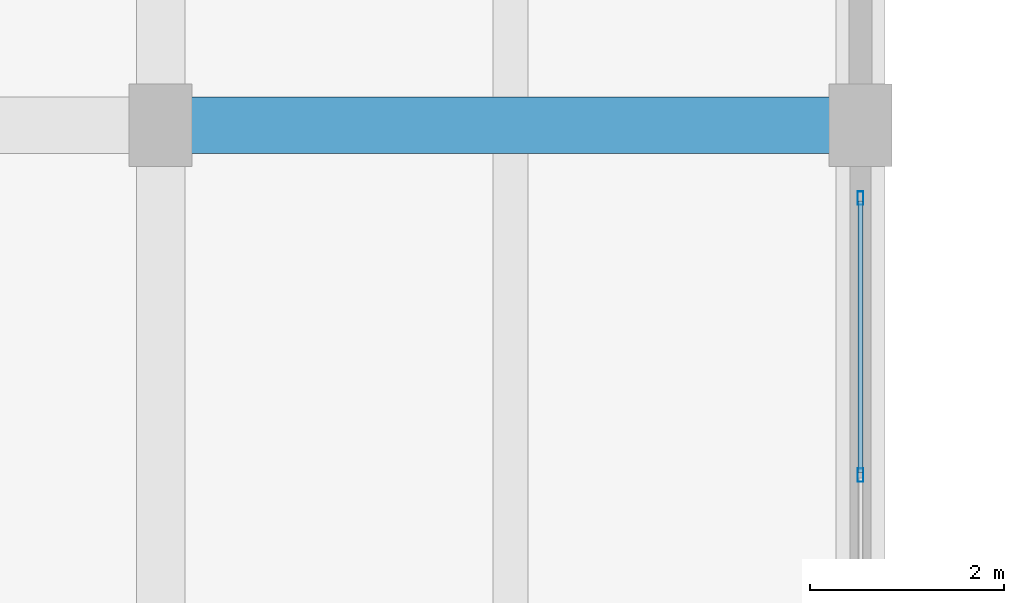
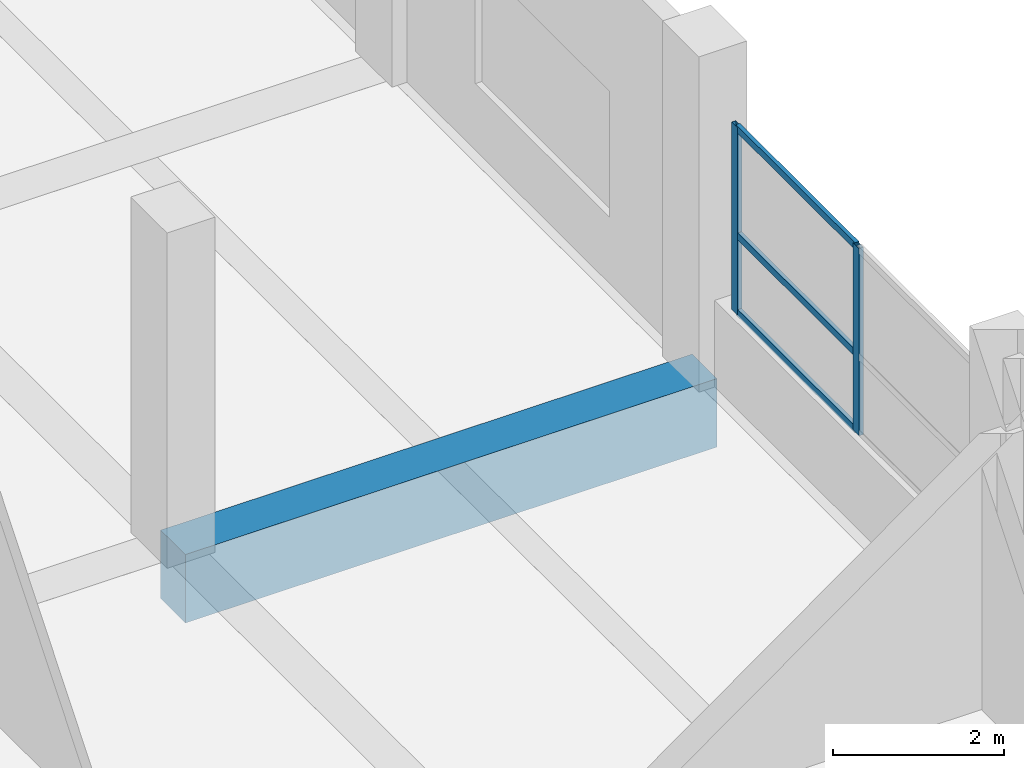
# One storey, part 104 of 140: 5 members, 1 beam, 1 element without a shape of its own.
"""IFC4 building model written with IfcOpenShell, lengths in metres."""

from ifc_helpers import new_model, si_unit, direction, frame, origin, origin_2d, place, context, subcontext, project, spatial, rectangle, hollow_rectangle, extrude, material, layer, layer_set, material_profile, profile_set, type_object, element, aggregate, save


model = new_model("IFC4")

# Units and contexts
model_context = context("Model", 3, precision=1e-05, world=origin(), true_north=direction((0.0, 1.0)))
body_context = subcontext(model_context, "Body", "Model", "MODEL_VIEW")
ifc_project = project(units=[si_unit("LENGTHUNIT", "METRE"), si_unit("AREAUNIT", "SQUARE_METRE"), si_unit("VOLUMEUNIT", "CUBIC_METRE"), si_unit("PLANEANGLEUNIT", "RADIAN"), si_unit("MASSUNIT", "GRAM", prefix="KILO")], contexts=[model_context])

# Site, building, storey
site_placement = place(None, origin())
site = spatial("IfcSite", under=ifc_project, at=site_placement, CompositionType="ELEMENT")
building_placement = place(site_placement, origin())
building = spatial("IfcBuilding", under=site, at=building_placement, Name="Seraya Terrace Polytechnic", CompositionType="ELEMENT")
storey_placement = place(building_placement, frame((0.0, 0.0, 9.60009765625)))
storey = spatial("IfcBuildingStorey", under=building, at=storey_placement, Name="L02", CompositionType="ELEMENT", Elevation=9.60009765625)

# Beam
ifc_material_1 = material(Name="Concrete C40/50", Category="concrete")
ifc_material_profile_1 = material_profile(ifc_material_1, rectangle(XDim=0.580078125, YDim=0.97998046875, at=origin_2d()), Name="RC 580x980")
ifc_profile_set_1 = profile_set([ifc_material_profile_1], Name="Concrete C40/50")
beam_type = type_object("IfcBeamType", Name="BM-02", PredefinedType="BEAM", material=ifc_profile_set_1)
beam_placement = place(storey_placement, frame((151.199951171875, 100.800048828125, -0.489990234375), z_axis=(1.0, 0.0, 0.0), x_axis=(0.0, 1.0, 0.0)))
element("IfcBeam", 1, at=beam_placement, inside=storey, type_object=beam_type, Name="Beam BM-02 L02 X (151.2..158.4, 100.8)", PredefinedType="BEAM", context=body_context, shape_type="SweptSolid", body=[
    extrude(rectangle(XDim=0.580078125, YDim=0.97998046875, at=origin_2d()), origin(), (0.0, 0.0, 1.0), 7.199951171875),
])

# Curtain wall, members
ifc_material_2 = material(Name="Anodised aluminium EN AW-6063 T6", Category="aluminium")
ifc_layer = layer(ifc_material_2, 0.179931640625, Name="CW-18")
ifc_layer_set = layer_set([ifc_layer], Name="Anodised aluminium EN AW-6063 T6")
curtain_wall_type = type_object("IfcCurtainWallType", Name="CW-18", PredefinedType="NOTDEFINED", material=ifc_layer_set)
curtain_wall_placement = place(storey_placement, origin())
curtain_wall = element("IfcCurtainWall", 2, at=curtain_wall_placement, inside=storey, type_object=curtain_wall_type, Name="Unitised curtain wall CW-18 (CW-L02-090)", PredefinedType="NOTDEFINED")
ifc_material_profile_2 = material_profile(ifc_material_2, hollow_rectangle(XDim=0.06005859375, YDim=0.139892578125, WallThickness=0.00341796875, at=origin_2d()), Name="RHS 140x60x3.5")
ifc_profile_set_2 = profile_set([ifc_material_profile_2], Name="Anodised aluminium EN AW-6063 T6")
member_type_1 = type_object("IfcMemberType", Name="CWM-03", PredefinedType="MULLION", material=ifc_profile_set_2)
member_1_placement = place(storey_placement, frame((158.39990234375, 100.050048828125, 1.239990234375), z_axis=(0.0, 0.0, 1.0), x_axis=(1.0, 0.0, 0.0)))
member_1 = element("IfcMember", 3, at=member_1_placement, type_object=member_type_1, Name="CW-18 mullion 1", PredefinedType="MULLION", context=body_context, shape_type="SweptSolid", body=[
    extrude(hollow_rectangle(XDim=0.06005859375, YDim=0.139892578125, WallThickness=0.00341796875, at=origin_2d()), origin(), (0.0, 0.0, 1.0), 2.679931640625),
])
member_2_placement = place(storey_placement, frame((158.39990234375, 97.199951171875, 1.239990234375), z_axis=(0.0, 0.0, 1.0), x_axis=(1.0, 0.0, 0.0)))
member_2 = element("IfcMember", 4, at=member_2_placement, type_object=member_type_1, Name="CW-18 mullion 2", PredefinedType="MULLION", context=body_context, shape_type="SweptSolid", body=[
    extrude(hollow_rectangle(XDim=0.06005859375, YDim=0.139892578125, WallThickness=0.00341796875, at=origin_2d()), origin(), (0.0, 0.0, 1.0), 2.679931640625),
])
ifc_material_profile_3 = material_profile(ifc_material_2, hollow_rectangle(XDim=0.054931640625, YDim=0.10009765625, WallThickness=0.0029296875, at=origin_2d()), Name="RHS 100x55x3.0")
ifc_profile_set_3 = profile_set([ifc_material_profile_3], Name="Anodised aluminium EN AW-6063 T6")
member_type_2 = type_object("IfcMemberType", Name="CWT-03", PredefinedType="USERDEFINED", material=ifc_profile_set_3)
member_3_placement = place(storey_placement, frame((158.39990234375, 100.02001953125, 1.267333984375), z_axis=(0.0, -1.0, 0.0), x_axis=(1.0, 0.0, 0.0)))
member_3 = element("IfcMember", 5, at=member_3_placement, type_object=member_type_2, Name="CW-18 transom 1.1", ObjectType="TRANSOM", PredefinedType="USERDEFINED", context=body_context, shape_type="SweptSolid", body=[
    extrude(hollow_rectangle(XDim=0.054931640625, YDim=0.10009765625, WallThickness=0.0029296875, at=origin_2d()), origin(), (0.0, 0.0, 1.0), 2.7900390625),
])
member_4_placement = place(storey_placement, frame((158.39990234375, 100.02001953125, 2.365478515625), z_axis=(0.0, -1.0, 0.0), x_axis=(1.0, 0.0, 0.0)))
member_4 = element("IfcMember", 6, at=member_4_placement, type_object=member_type_2, Name="CW-18 transom 1.2", ObjectType="TRANSOM", PredefinedType="USERDEFINED", context=body_context, shape_type="SweptSolid", body=[
    extrude(hollow_rectangle(XDim=0.054931640625, YDim=0.10009765625, WallThickness=0.0029296875, at=origin_2d()), origin(), (0.0, 0.0, 1.0), 2.7900390625),
])
member_5_placement = place(storey_placement, frame((158.39990234375, 100.02001953125, 3.892333984375), z_axis=(0.0, -1.0, 0.0), x_axis=(1.0, 0.0, 0.0)))
member_5 = element("IfcMember", 7, at=member_5_placement, type_object=member_type_2, Name="CW-18 transom 1.3", ObjectType="TRANSOM", PredefinedType="USERDEFINED", context=body_context, shape_type="SweptSolid", body=[
    extrude(hollow_rectangle(XDim=0.054931640625, YDim=0.10009765625, WallThickness=0.0029296875, at=origin_2d()), origin(), (0.0, 0.0, 1.0), 2.7900390625),
])
aggregate(curtain_wall, [member_1, member_2, member_3, member_4, member_5])

save(model, "model.ifc")
